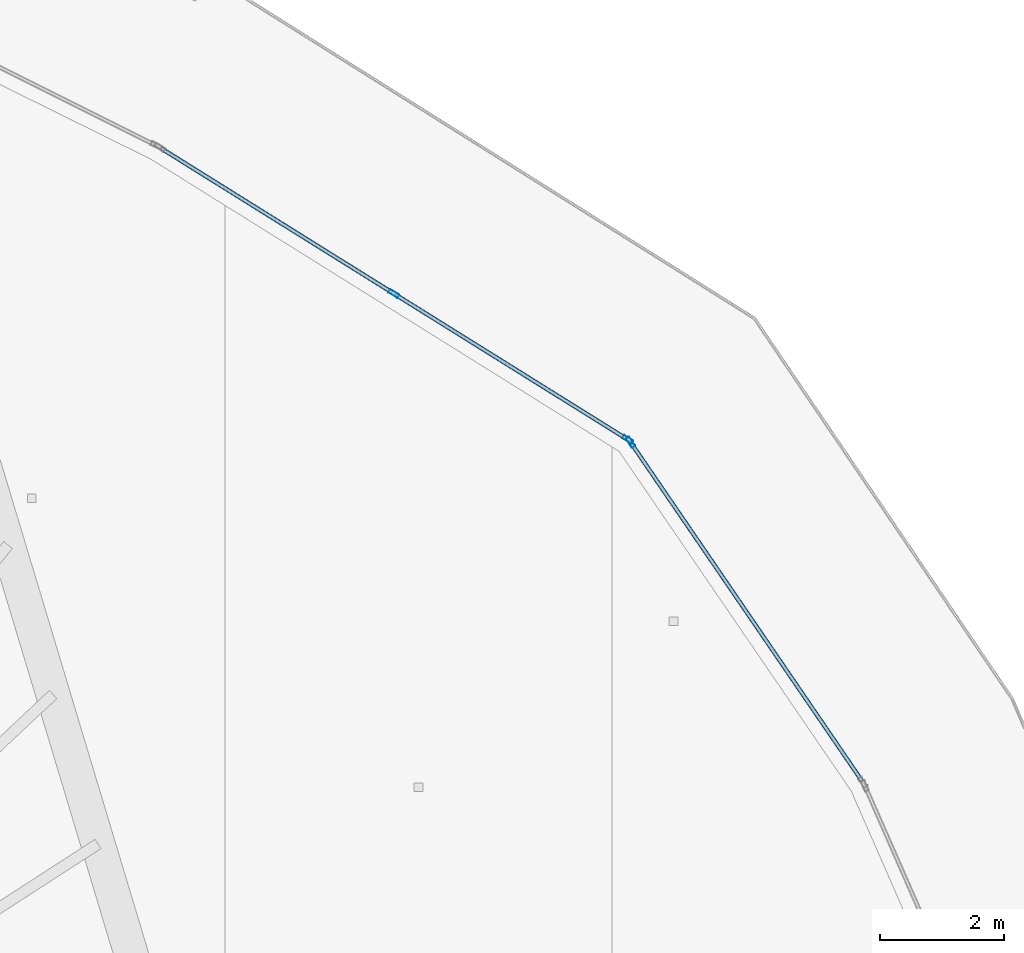
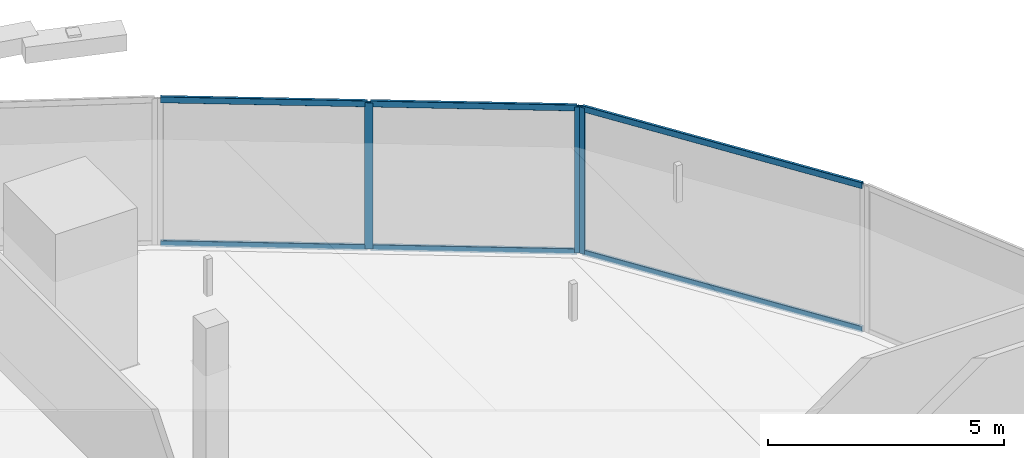
# One storey, part 23 of 39: 9 members, 2 elements without a shape of their own.
"""IFC4 building model written with IfcOpenShell, lengths in metres."""

from ifc_helpers import new_model, si_unit, direction, frame, origin, origin_2d, place, context, subcontext, project, spatial, hollow_rectangle, extrude, material, layer, layer_set, material_profile, profile_set, type_object, element, aggregate, save


model = new_model("IFC4")

# Units and contexts
model_context = context("Model", 3, precision=1e-05, world=origin(), true_north=direction((0.0, 1.0)))
body_context = subcontext(model_context, "Body", "Model", "MODEL_VIEW")
ifc_project = project(units=[si_unit("LENGTHUNIT", "METRE"), si_unit("AREAUNIT", "SQUARE_METRE"), si_unit("VOLUMEUNIT", "CUBIC_METRE"), si_unit("PLANEANGLEUNIT", "RADIAN"), si_unit("MASSUNIT", "GRAM", prefix="KILO")], contexts=[model_context])

# Site, building, storey
site_placement = place(None, origin())
site = spatial("IfcSite", under=ifc_project, at=site_placement, CompositionType="ELEMENT")
building_placement = place(site_placement, origin())
building = spatial("IfcBuilding", under=site, at=building_placement, Name="Qorvath Tower", CompositionType="ELEMENT")
storey_placement = place(building_placement, frame((0.0, 0.0, 142.199951171875)))
storey = spatial("IfcBuildingStorey", under=building, at=storey_placement, Name="L32", CompositionType="ELEMENT", Elevation=142.199951171875)

# Curtain wall, member
ifc_material_1 = material(Name="Anodised aluminium and triple low-E glass", Category="aluminium")
ifc_layer = layer(ifc_material_1, 0.179931640625)
ifc_layer_set = layer_set([ifc_layer], Name="CW-SYS-3")
curtain_wall_type = type_object("IfcCurtainWallType", Name="CW-SYS-3", PredefinedType="NOTDEFINED", material=ifc_layer_set)
curtain_wall_1_placement = place(storey_placement, origin())
curtain_wall_1 = element("IfcCurtainWall", 1, at=curtain_wall_1_placement, inside=storey, type_object=curtain_wall_type, Name="Curtain Wall CW-3 CW-T-L32-13.1", PredefinedType="NOTDEFINED")
ifc_material_2 = material(Name="Anodised aluminium 6063-T6", Category="aluminium")
ifc_material_profile_1 = material_profile(ifc_material_2, hollow_rectangle(XDim=0.06494140625, YDim=0.179931640625, WallThickness=0.00341796875, InnerFilletRadius=0.00341796875, OuterFilletRadius=0.007080078125, at=origin_2d()), Name="CWM 180x65")
ifc_profile_set_1 = profile_set([ifc_material_profile_1], Name="Anodised aluminium 6063-T6")
member_type_1 = type_object("IfcMemberType", Name="CWM-180", PredefinedType="MULLION", material=ifc_profile_set_1)
member_1_placement = place(storey_placement, frame((-4.14208984375, 23.013916015625, 0.0), z_axis=(0.0, 0.0, 1.0), x_axis=(-0.825610125251, -0.564241013294, 0.0)))
member_1 = element("IfcMember", 2, at=member_1_placement, type_object=member_type_1, Name="CW-3 mullion 2", PredefinedType="MULLION", context=body_context, shape_type="SweptSolid", body=[
    extrude(hollow_rectangle(XDim=0.06494140625, YDim=0.179931640625, WallThickness=0.00341796875, InnerFilletRadius=0.00341796875, OuterFilletRadius=0.007080078125, at=origin_2d()), origin(), (0.0, 0.0, 1.0), 3.780029296875),
])

# Curtain wall, members
curtain_wall_2_placement = place(storey_placement, origin())
curtain_wall_2 = element("IfcCurtainWall", 3, at=curtain_wall_2_placement, inside=storey, type_object=curtain_wall_type, Name="Curtain Wall CW-3 CW-T-L32-14.1", PredefinedType="NOTDEFINED")
member_2_placement = place(storey_placement, frame((-4.18798828125, 23.05810546875, 0.0), z_axis=(0.0, 0.0, 1.0), x_axis=(-0.529441480387, -0.848346461563, 0.0)))
member_2 = element("IfcMember", 4, at=member_2_placement, type_object=member_type_1, Name="CW-3 mullion 1", PredefinedType="MULLION", context=body_context, shape_type="SweptSolid", body=[
    extrude(hollow_rectangle(XDim=0.06494140625, YDim=0.179931640625, WallThickness=0.00341796875, InnerFilletRadius=0.00341796875, OuterFilletRadius=0.007080078125, at=origin_2d()), origin(), (0.0, 0.0, 1.0), 3.780029296875),
])
member_3_placement = place(storey_placement, frame((-7.95703125, 25.410400390625, 0.0), z_axis=(0.0, 0.0, 1.0), x_axis=(-0.529441480387, -0.848346461563, 0.0)))
member_3 = element("IfcMember", 5, at=member_3_placement, type_object=member_type_1, Name="CW-3 mullion 2", PredefinedType="MULLION", context=body_context, shape_type="SweptSolid", body=[
    extrude(hollow_rectangle(XDim=0.06494140625, YDim=0.179931640625, WallThickness=0.00341796875, InnerFilletRadius=0.00341796875, OuterFilletRadius=0.007080078125, at=origin_2d()), origin(), (0.0, 0.0, 1.0), 3.780029296875),
])

# Member
ifc_material_3 = material(Name="Anodised aluminium 6063-T6", Category="aluminium")
ifc_material_profile_2 = material_profile(ifc_material_3, hollow_rectangle(XDim=0.06494140625, YDim=0.159912109375, WallThickness=0.00341796875, InnerFilletRadius=0.00341796875, OuterFilletRadius=0.007080078125, at=origin_2d()), Name="CWT 160x65")
ifc_profile_set_2 = profile_set([ifc_material_profile_2], Name="Anodised aluminium 6063-T6")
member_type_2 = type_object("IfcMemberType", Name="CWT-160", PredefinedType="USERDEFINED", material=ifc_profile_set_2)
member_4_placement = place(storey_placement, frame((-0.414794921875, 17.560302734375, 0.032470703125), z_axis=(-0.56426308506, 0.825595040464, 0.0), x_axis=(-0.825595040464, -0.56426308506, 0.0)))
member_4 = element("IfcMember", 6, at=member_4_placement, type_object=member_type_2, Name="CW-3 transom 1.1", ObjectType="TRANSOM", PredefinedType="USERDEFINED", context=body_context, shape_type="SweptSolid", body=[
    extrude(hollow_rectangle(XDim=0.06494140625, YDim=0.159912109375, WallThickness=0.00341796875, InnerFilletRadius=0.00341796875, OuterFilletRadius=0.007080078125, at=origin_2d()), origin(), (0.0, 0.0, 1.0), 6.5732421875),
])

member_5_placement = place(storey_placement, frame((-0.414794921875, 17.560302734375, 3.74755859375), z_axis=(-0.56426308506, 0.825595040464, 0.0), x_axis=(-0.825595040464, -0.56426308506, 0.0)))
member_5 = element("IfcMember", 7, at=member_5_placement, type_object=member_type_2, Name="CW-3 transom 1.2", ObjectType="TRANSOM", PredefinedType="USERDEFINED", context=body_context, shape_type="SweptSolid", body=[
    extrude(hollow_rectangle(XDim=0.06494140625, YDim=0.159912109375, WallThickness=0.00341796875, InnerFilletRadius=0.00341796875, OuterFilletRadius=0.007080078125, at=origin_2d()), origin(), (0.0, 0.0, 1.0), 6.5732421875),
])

aggregate(curtain_wall_1, [member_1, member_4, member_5])

member_6_placement = place(storey_placement, frame((-4.215576171875, 23.0751953125, 0.032470703125), z_axis=(-0.848352128257, 0.529432400294, 0.0), x_axis=(-0.529432400294, -0.848352128257, 0.0)))
member_6 = element("IfcMember", 8, at=member_6_placement, type_object=member_type_2, Name="CW-3 transom 1.1", ObjectType="TRANSOM", PredefinedType="USERDEFINED", context=body_context, shape_type="SweptSolid", body=[
    extrude(hollow_rectangle(XDim=0.06494140625, YDim=0.159912109375, WallThickness=0.00341796875, InnerFilletRadius=0.00341796875, OuterFilletRadius=0.007080078125, at=origin_2d()), origin(), (0.0, 0.0, 1.0), 4.3779296875),
])

member_7_placement = place(storey_placement, frame((-4.215576171875, 23.0751953125, 3.74755859375), z_axis=(-0.848352128257, 0.529432400294, 0.0), x_axis=(-0.529432400294, -0.848352128257, 0.0)))
member_7 = element("IfcMember", 9, at=member_7_placement, type_object=member_type_2, Name="CW-3 transom 1.2", ObjectType="TRANSOM", PredefinedType="USERDEFINED", context=body_context, shape_type="SweptSolid", body=[
    extrude(hollow_rectangle(XDim=0.06494140625, YDim=0.159912109375, WallThickness=0.00341796875, InnerFilletRadius=0.00341796875, OuterFilletRadius=0.007080078125, at=origin_2d()), origin(), (0.0, 0.0, 1.0), 4.3779296875),
])

member_8_placement = place(storey_placement, frame((-7.984619140625, 25.427490234375, 0.032470703125), z_axis=(-0.848352128257, 0.529432400294, 0.0), x_axis=(-0.529432400294, -0.848352128257, 0.0)))
member_8 = element("IfcMember", 10, at=member_8_placement, type_object=member_type_2, Name="CW-3 transom 2.1", ObjectType="TRANSOM", PredefinedType="USERDEFINED", context=body_context, shape_type="SweptSolid", body=[
    extrude(hollow_rectangle(XDim=0.06494140625, YDim=0.159912109375, WallThickness=0.00341796875, InnerFilletRadius=0.00341796875, OuterFilletRadius=0.007080078125, at=origin_2d()), origin(), (0.0, 0.0, 1.0), 4.3779296875),
])

member_9_placement = place(storey_placement, frame((-7.984619140625, 25.427490234375, 3.74755859375), z_axis=(-0.848352128257, 0.529432400294, 0.0), x_axis=(-0.529432400294, -0.848352128257, 0.0)))
member_9 = element("IfcMember", 11, at=member_9_placement, type_object=member_type_2, Name="CW-3 transom 2.2", ObjectType="TRANSOM", PredefinedType="USERDEFINED", context=body_context, shape_type="SweptSolid", body=[
    extrude(hollow_rectangle(XDim=0.06494140625, YDim=0.159912109375, WallThickness=0.00341796875, InnerFilletRadius=0.00341796875, OuterFilletRadius=0.007080078125, at=origin_2d()), origin(), (0.0, 0.0, 1.0), 4.3779296875),
])

aggregate(curtain_wall_2, [member_2, member_3, member_6, member_7, member_8, member_9])

save(model, "model.ifc")
